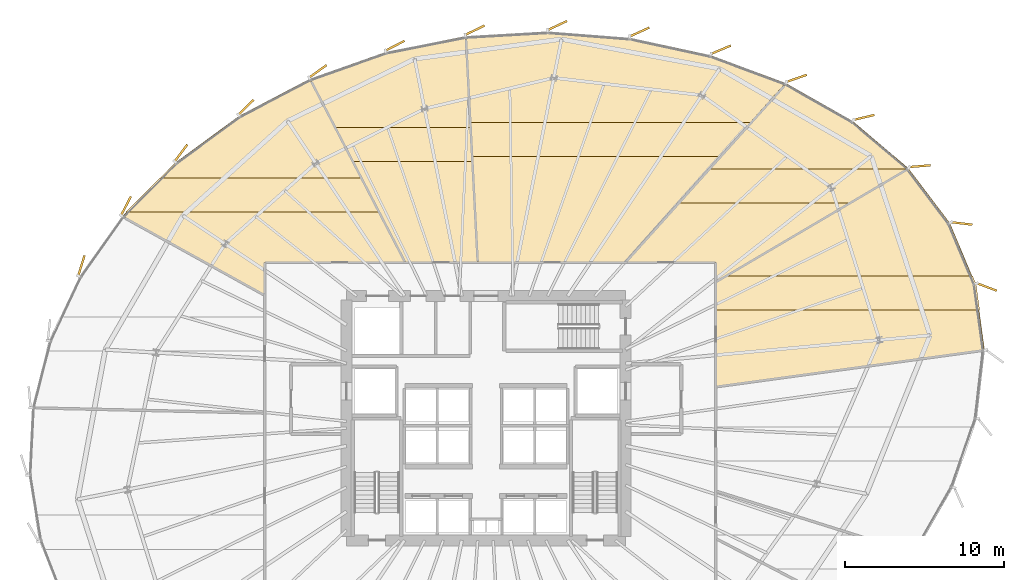
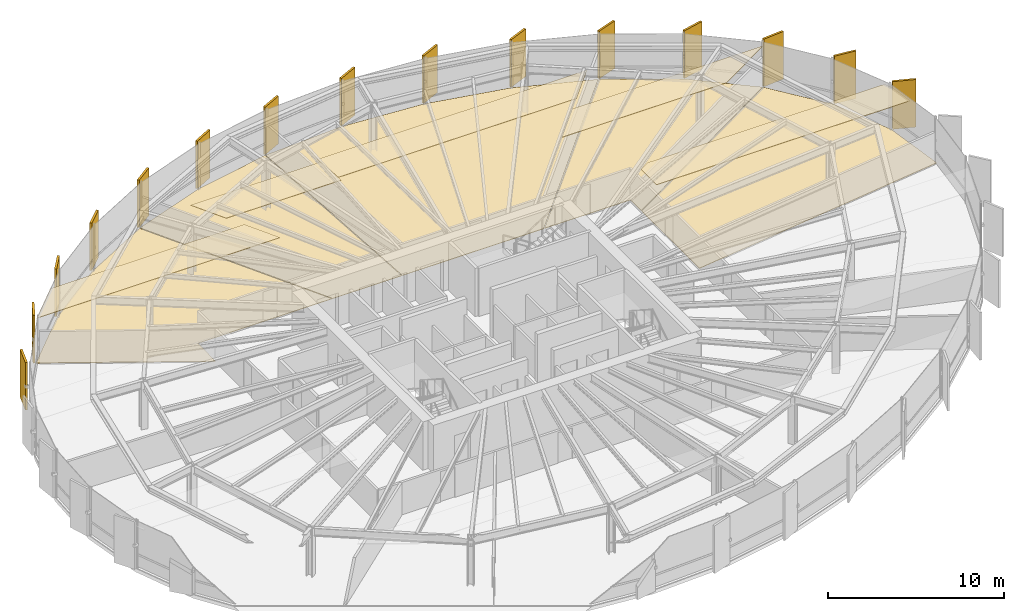
# One storey, part 35 of 35: 25 coverings.
"""IFC4 building model written with IfcOpenShell, lengths in metres."""

import ifcopenshell
import ifcopenshell.guid

model = None  # the IFC model being written
_history = None  # IfcOwnerHistory: only IFC2X3 demands one
_inside = {}  # id of a spatial element -> (the spatial element, [elements in it])
_under = {}  # id of a project, library or spatial element -> (it, [spatial elements below it])
_declared = {}  # id of a project -> (the project, [libraries it declares])
_typed = {}  # id of a type object -> (the type object, [elements of that type])
_made_of = {}  # id of a material, layer set ... -> (it, [elements and type objects made of it])


def new_model(schema):
    """Start an empty IFC model of exactly this schema.

    Asked for "IFC4X3", IfcOpenShell would pick the latest addendum, in which some entities
    have other attributes; the version numbers below select the first issue.
    IFC2X3 requires an IfcOwnerHistory on every rooted entity: one is made here for all.
    """
    global model, _history
    if schema == "IFC4X3":
        model = ifcopenshell.file(schema_version=(4, 3, 0, 0))
    else:
        model = ifcopenshell.file(schema=schema)
    _inside.clear()
    _under.clear()
    _declared.clear()
    _typed.clear()
    _made_of.clear()
    _history = None
    if model.schema == "IFC2X3":
        org = make("IfcOrganization", Name="unknown")
        user = make(
            "IfcPersonAndOrganization",
            ThePerson=make("IfcPerson", FamilyName="unknown"),
            TheOrganization=org,
        )
        app = make(
            "IfcApplication",
            ApplicationDeveloper=org,
            Version="unknown",
            ApplicationFullName="unknown",
            ApplicationIdentifier="unknown",
        )
        _history = make(
            "IfcOwnerHistory",
            OwningUser=user,
            OwningApplication=app,
            ChangeAction="ADDED",
            CreationDate=0,
        )
    return model


def make(cls, **values):
    """One entity of the class cls with the attributes given. An attribute that is None is left unset."""
    return model.create_entity(
        cls, **{name: value for name, value in values.items() if value is not None}
    )


def rooted(cls, **values):
    """An entity with a GlobalId (a new one), such as an element, a storey or a relation."""
    return make(cls, GlobalId=ifcopenshell.guid.new(), OwnerHistory=_history, **values)


def si_unit(unit_type, name, prefix=None):
    """IfcSIUnit, for example si_unit("LENGTHUNIT", "METRE", prefix="MILLI")."""
    return make("IfcSIUnit", UnitType=unit_type, Prefix=prefix, Name=name)


def assignment(units):
    """IfcUnitAssignment: the units of a project."""
    return None if units is None else make("IfcUnitAssignment", Units=units)


def point(xyz):
    """IfcCartesianPoint."""
    return None if xyz is None else make("IfcCartesianPoint", Coordinates=xyz)


def direction(xyz):
    """IfcDirection."""
    return None if xyz is None else make("IfcDirection", DirectionRatios=xyz)


def frame(location, z_axis=None, x_axis=None):
    """IfcAxis2Placement3D, a coordinate frame: its origin and axes. An axis left out is left unset."""
    return make(
        "IfcAxis2Placement3D",
        Location=point(location),
        Axis=direction(z_axis),
        RefDirection=direction(x_axis),
    )


def frame_2d(location, x_axis=None):
    """IfcAxis2Placement2D, a coordinate frame in the plane: its origin and x axis."""
    return make(
        "IfcAxis2Placement2D", Location=point(location), RefDirection=direction(x_axis)
    )


def origin():
    """The frame at (0, 0, 0) with its axes left unset."""
    return frame((0.0, 0.0, 0.0))


def origin_2d():
    """The frame at (0, 0) in the plane with its x axis left unset."""
    return frame_2d((0.0, 0.0))


def place(relative_to, where):
    """IfcLocalPlacement: puts the frame where relative to a parent placement (None: the world)."""
    return make(
        "IfcLocalPlacement", PlacementRelTo=relative_to, RelativePlacement=where
    )


def context(
    kind, dimensions, precision=None, world=None, true_north=None, identifier=None
):
    """IfcGeometricRepresentationContext, for example the 3D "Model" context."""
    return make(
        "IfcGeometricRepresentationContext",
        ContextIdentifier=identifier,
        ContextType=kind,
        CoordinateSpaceDimension=dimensions,
        Precision=precision,
        WorldCoordinateSystem=world,
        TrueNorth=true_north,
    )


def subcontext(parent, identifier, kind, view, scale=None):
    """IfcGeometricRepresentationSubContext, for example "Body" below "Model"."""
    return make(
        "IfcGeometricRepresentationSubContext",
        ContextIdentifier=identifier,
        ContextType=kind,
        ParentContext=parent,
        TargetScale=scale,
        TargetView=view,
    )


def project(units=None, contexts=None):
    """IfcProject with its units and contexts."""
    return rooted(
        "IfcProject",
        Name="project",
        RepresentationContexts=contexts,
        UnitsInContext=assignment(units),
    )


def spatial(cls, under=None, at=None, **own):
    """A site, building, storey or space (cls), placed at a placement, below another one or the project."""
    s = rooted(cls, ObjectPlacement=at, **own)
    if under is not None:
        _under.setdefault(under.id(), (under, []))[1].append(s)
    return s


def polyline(points):
    """IfcPolyline through the points."""
    return make("IfcPolyline", Points=[point(p) for p in points])


def profile(cls, at=None, kind="AREA", **sizes):
    """A parametric profile (cls). Its sizes go by their IFC names, for example OverallWidth=200.0."""
    return make(cls, ProfileType=kind, Position=at, **sizes)


def rectangle(**sizes):
    """IfcRectangleProfileDef."""
    return profile("IfcRectangleProfileDef", **sizes)


def outline(outer, holes=None, kind="AREA"):
    """IfcArbitraryClosedProfileDef: a profile drawn as a closed curve; with holes, ...WithVoids."""
    if holes is None:
        return make("IfcArbitraryClosedProfileDef", ProfileType=kind, OuterCurve=outer)
    return make(
        "IfcArbitraryProfileDefWithVoids",
        ProfileType=kind,
        OuterCurve=outer,
        InnerCurves=holes,
    )


def extrude(swept, where, along, depth):
    """IfcExtrudedAreaSolid: the profile swept, set in the frame where, extruded along a direction by depth."""
    return make(
        "IfcExtrudedAreaSolid",
        SweptArea=swept,
        Position=where,
        ExtrudedDirection=direction(along),
        Depth=depth,
    )


def shape(context_of_items, identifier, shape_type, items):
    """IfcShapeRepresentation: the items that make up one representation, for example the "Body"."""
    return make(
        "IfcShapeRepresentation",
        ContextOfItems=context_of_items,
        RepresentationIdentifier=identifier,
        RepresentationType=shape_type,
        Items=items,
    )


def source(mapping_origin, context_of_items, identifier, shape_type, items):
    """IfcRepresentationMap: a shape defined once, which mapped items show again and again."""
    return make(
        "IfcRepresentationMap",
        MappingOrigin=mapping_origin,
        MappedRepresentation=shape(context_of_items, identifier, shape_type, items),
    )


def transform(
    local_origin,
    x_axis=None,
    y_axis=None,
    z_axis=None,
    scale=None,
    scale2=None,
    scale3=None,
    uniform=True,
):
    """IfcCartesianTransformationOperator3D, or its non-uniform kind. x_axis, y_axis, z_axis: its Axis1, 2, 3."""
    if uniform:
        return make(
            "IfcCartesianTransformationOperator3D",
            Axis1=direction(x_axis),
            Axis2=direction(y_axis),
            LocalOrigin=point(local_origin),
            Scale=scale,
            Axis3=direction(z_axis),
        )
    return make(
        "IfcCartesianTransformationOperator3DnonUniform",
        Axis1=direction(x_axis),
        Axis2=direction(y_axis),
        LocalOrigin=point(local_origin),
        Scale=scale,
        Axis3=direction(z_axis),
        Scale2=scale2,
        Scale3=scale3,
    )


def mapped(mapping_source, mapping_target):
    """IfcMappedItem: shows the shape of a source again, moved by a transform."""
    return make(
        "IfcMappedItem", MappingSource=mapping_source, MappingTarget=mapping_target
    )


def material(Name=None, Category=None):
    """IfcMaterial."""
    return make("IfcMaterial", Name=Name, Category=Category)


def layer(
    of_material, thickness, ventilated=None, Name=None, Category=None, Priority=None
):
    """IfcMaterialLayer: one layer of a wall or slab, of a material (None: an air gap)."""
    return make(
        "IfcMaterialLayer",
        Material=of_material,
        LayerThickness=thickness,
        IsVentilated=ventilated,
        Name=Name,
        Category=Category,
        Priority=Priority,
    )


def layer_set(layers, Name=None):
    """IfcMaterialLayerSet."""
    return make("IfcMaterialLayerSet", MaterialLayers=layers, LayerSetName=Name)


def made_of(thing, what):
    """Note that an element or type object is made of a material, layer set ...; save() writes the relation."""
    if what is not None:
        _made_of.setdefault(what.id(), (what, []))[1].append(thing)
    return thing


def type_object(cls, material=None, **own):
    """A type object (cls), such as IfcWallType, which elements share."""
    return made_of(rooted(cls, **own), material)


def element(
    cls,
    number,
    at=None,
    inside=None,
    cuts=None,
    type_object=None,
    material=None,
    context=None,
    identifier="Body",
    shape_type=None,
    held_by="IfcProductDefinitionShape",
    body=None,
    shapes=None,
    **own,
):
    """One element of the class cls, such as IfcWall. Its Tag is "e" and its number.

    at: its placement. inside: the storey or other place that contains it. cuts: it is an
    opening in that element (IfcRelVoidsElement). A single representation is given by context,
    identifier, shape_type and body (its items); several are given by shapes. held_by: the class
    of the entity that holds the representations. save() writes the other relations.
    """
    e = rooted(cls, Tag="e%d" % number, ObjectPlacement=at, **own)
    if body is not None:
        shapes = [shape(context, identifier, shape_type, body)]
    if shapes is not None:
        e.Representation = make(held_by, Representations=shapes)
    if inside is not None:
        _inside.setdefault(inside.id(), (inside, []))[1].append(e)
    if cuts is not None:
        rooted(
            "IfcRelVoidsElement", RelatingBuildingElement=cuts, RelatedOpeningElement=e
        )
    if type_object is not None:
        _typed.setdefault(type_object.id(), (type_object, []))[1].append(e)
    return made_of(e, material)


def aggregate(whole, parts):
    """IfcRelAggregates: a whole, such as a stair, and the parts it consists of."""
    return rooted("IfcRelAggregates", RelatingObject=whole, RelatedObjects=parts)


def save(model, path):
    """Write the relations noted so far, then the file.

    IfcRelAggregates (storeys below a building ...), IfcRelContainedInSpatialStructure (elements
    in a storey), IfcRelDefinesByType, IfcRelAssociatesMaterial and IfcRelDeclares: one each for
    every whole, place, type object, material and project.
    """
    for whole, parts in _under.values():
        aggregate(whole, parts)
    for where, things in _inside.values():
        rooted(
            "IfcRelContainedInSpatialStructure",
            RelatedElements=things,
            RelatingStructure=where,
        )
    for kind, things in _typed.values():
        rooted("IfcRelDefinesByType", RelatedObjects=things, RelatingType=kind)
    for what, things in _made_of.values():
        rooted("IfcRelAssociatesMaterial", RelatedObjects=things, RelatingMaterial=what)
    for by, libraries in _declared.values():
        rooted("IfcRelDeclares", RelatingContext=by, RelatedDefinitions=libraries)
    model.write(path)


model = new_model("IFC4")

# Units and contexts
model_context = context("Model", 3, precision=1e-05, world=origin(), true_north=direction((0.0, 1.0)))
body_context = subcontext(model_context, "Body", "Model", "MODEL_VIEW")
ifc_project = project(units=[si_unit("LENGTHUNIT", "METRE"), si_unit("AREAUNIT", "SQUARE_METRE"), si_unit("VOLUMEUNIT", "CUBIC_METRE"), si_unit("PLANEANGLEUNIT", "RADIAN"), si_unit("MASSUNIT", "GRAM", prefix="KILO"), si_unit("THERMODYNAMICTEMPERATUREUNIT", "KELVIN")], contexts=[model_context])

# Site, building, storey
site_placement = place(None, origin())
site = spatial("IfcSite", under=ifc_project, at=site_placement, CompositionType="ELEMENT")
building_placement = place(site_placement, origin())
building = spatial("IfcBuilding", under=site, at=building_placement, Name="Kethvar Cultural Tower", CompositionType="ELEMENT")
storey_placement = place(building_placement, frame((0.0, 0.0, 96.39990234375)))
storey = spatial("IfcBuildingStorey", under=building, at=storey_placement, Name="L23", CompositionType="ELEMENT", Elevation=96.39990234375)

# Coverings
ifc_material_1 = material(Name="Acoustic Mineral Fibre Ceiling")
ifc_layer_1 = layer(ifc_material_1, 0.0400390625, Name="Acoustic Mineral Fibre Ceiling")
ifc_layer_set_1 = layer_set([ifc_layer_1], Name="Acoustic Mineral Fibre Ceiling (40 mm)")
covering_type_1 = type_object("IfcCoveringType", Name="CV-ACOUSTIC-CEIL", PredefinedType="CEILING", material=ifc_layer_set_1)
covering_1_placement = place(storey_placement, frame((0.0, 0.0, 2.89013671875)))
element("IfcCovering", 1, at=covering_1_placement, inside=storey, type_object=covering_type_1, Name="L23 Room 06 Acoustic Ceiling Panel", PredefinedType="CEILING", context=body_context, shape_type="SweptSolid", body=[
    extrude(outline(polyline([(77.691162109375, 36.253662109375), (77.916015625, 34.61376953125), (61.25, 34.61376953125), (61.250732421875, 36.37841796875), (61.890625, 36.763916015625), (77.476318359375, 36.763916015625), (77.691162109375, 36.253662109375)])), origin(), (0.0, 0.0, 1.0), 0.0400390625),
])
covering_2_placement = place(storey_placement, frame((0.0, 0.0, 2.89013671875)))
element("IfcCovering", 2, at=covering_2_placement, inside=storey, type_object=covering_type_1, Name="L23 Room 07 Acoustic Ceiling Panel", PredefinedType="CEILING", context=body_context, shape_type="SweptSolid", body=[
    extrude(outline(polyline([(69.7548828125, 41.376708984375), (58.92236328125, 41.376708984375), (60.846435546875, 43.526611328125), (73.384033203125, 43.526611328125), (69.7548828125, 41.376708984375)])), origin(), (0.0, 0.0, 1.0), 0.0400390625),
])
covering_3_placement = place(storey_placement, frame((0.0, 0.0, 2.89013671875)))
element("IfcCovering", 3, at=covering_3_placement, inside=storey, type_object=covering_type_1, Name="L23 Room 08 Acoustic Ceiling Panel", PredefinedType="CEILING", context=body_context, shape_type="SweptSolid", body=[
    extrude(outline(polyline([(61.59521484375, 44.303466796875), (45.89208984375, 44.303466796875), (45.7763671875, 46.453369140625), (63.51904296875, 46.453369140625), (61.59521484375, 44.303466796875)])), origin(), (0.0, 0.0, 1.0), 0.0400390625),
])
covering_4_placement = place(storey_placement, frame((0.0, 0.0, 2.89013671875)))
element("IfcCovering", 4, at=covering_4_placement, inside=storey, type_object=covering_type_1, Name="L23 Room 09 Acoustic Ceiling Panel", PredefinedType="CEILING", context=body_context, shape_type="SweptSolid", body=[
    extrude(outline(polyline([(45.94970703125, 43.97900390625), (38.376953125, 43.97900390625), (37.2607421875, 46.129150390625), (45.833984375, 46.129150390625), (45.94970703125, 43.97900390625)])), origin(), (0.0, 0.0, 1.0), 0.0400390625),
])
covering_5_placement = place(storey_placement, frame((0.0, 0.0, 2.89013671875)))
element("IfcCovering", 5, at=covering_5_placement, inside=storey, type_object=covering_type_1, Name="L23 Room 10 Acoustic Ceiling Panel", PredefinedType="CEILING", context=body_context, shape_type="SweptSolid", body=[
    extrude(outline(polyline([(40.078857421875, 40.7880859375), (24.072509765625, 40.7880859375), (26.210693359375, 42.93798828125), (38.962646484375, 42.93798828125), (40.078857421875, 40.7880859375)])), origin(), (0.0, 0.0, 1.0), 0.0400390625),
])
ifc_material_2 = material(Name="Honed Warm Limestone", Category="masonry")
ifc_layer_2 = layer(ifc_material_2, 0.030029296875, Name="Honed Warm Limestone", Category="masonry")
ifc_layer_set_2 = layer_set([ifc_layer_2], Name="Honed Warm Limestone (30 mm)")
covering_type_2 = type_object("IfcCoveringType", Name="CV-STONE-FLOOR", PredefinedType="FLOORING", material=ifc_layer_set_2)
covering_6_placement = place(storey_placement, origin())
element("IfcCovering", 6, at=covering_6_placement, inside=storey, type_object=covering_type_2, Name="L23 Room 06 Floor Finish", PredefinedType="FLOORING", context=body_context, shape_type="SweptSolid", body=[
    extrude(outline(polyline([(76.02880859375, 40.101318359375), (77.6533203125, 36.240478515625), (78.218017578125, 32.107666015625), (61.2900390625, 29.797607421875), (61.2900390625, 36.361328125), (73.418701171875, 43.547119140625), (76.02880859375, 40.101318359375)])), origin(), (0.0, 0.0, 1.0), 0.030029296875),
])
covering_7_placement = place(storey_placement, origin())
element("IfcCovering", 7, at=covering_7_placement, inside=storey, type_object=covering_type_2, Name="L23 Room 07 Floor Finish", PredefinedType="FLOORING", context=body_context, shape_type="SweptSolid", body=[
    extrude(outline(polyline([(69.912109375, 46.52099609375), (73.389404296875, 43.576416015625), (61.2900390625, 36.407958984375), (61.27392578125, 37.6396484375), (55.63232421875, 37.639892578125), (65.711181640625, 48.903076171875), (69.912109375, 46.52099609375)])), origin(), (0.0, 0.0, 1.0), 0.030029296875),
])
covering_8_placement = place(storey_placement, origin())
element("IfcCovering", 8, at=covering_8_placement, inside=storey, type_object=covering_type_2, Name="L23 Room 08 Floor Finish", PredefinedType="FLOORING", context=body_context, shape_type="SweptSolid", body=[
    extrude(outline(polyline([(45.52490234375, 51.87255859375), (50.68310546875, 52.16845703125), (55.888916015625, 51.764892578125), (60.957763671875, 50.6708984375), (65.672607421875, 48.919921875), (55.57861328125, 37.639892578125), (46.290771484375, 37.639892578125), (45.52490234375, 51.87255859375)])), origin(), (0.0, 0.0, 1.0), 0.030029296875),
])
covering_9_placement = place(storey_placement, origin())
element("IfcCovering", 9, at=covering_9_placement, inside=storey, type_object=covering_type_2, Name="L23 Room 09 Floor Finish", PredefinedType="FLOORING", context=body_context, shape_type="SweptSolid", body=[
    extrude(outline(polyline([(40.4873046875, 50.87548828125), (45.485107421875, 51.8671875), (46.25048828125, 37.639892578125), (41.71337890625, 37.639892578125), (35.71435546875, 49.1943359375), (40.4873046875, 50.87548828125)])), origin(), (0.0, 0.0, 1.0), 0.030029296875),
])
covering_10_placement = place(storey_placement, origin())
element("IfcCovering", 10, at=covering_10_placement, inside=storey, type_object=covering_type_2, Name="L23 Room 10 Floor Finish", PredefinedType="FLOORING", context=body_context, shape_type="SweptSolid", body=[
    extrude(outline(polyline([(27.255615234375, 43.931884765625), (31.23828125, 46.848876953125), (35.677490234375, 49.178466796875), (41.66845703125, 37.639892578125), (32.84619140625, 37.6396484375), (32.830078125, 35.576904296875), (23.884521484375, 40.542236328125), (27.255615234375, 43.931884765625)])), origin(), (0.0, 0.0, 1.0), 0.030029296875),
])
ifc_material_3 = material(Name="Extruded Architectural Terracotta", Category="masonry")
ifc_layer_3 = layer(ifc_material_3, 0.135009765625, Name="Extruded Architectural Terracotta", Category="masonry")
ifc_layer_set_3 = layer_set([ifc_layer_3], Name="Extruded Architectural Terracotta (135 mm)")
covering_type_3 = type_object("IfcCoveringType", Name="Terracotta Facade Fin FIN-02", PredefinedType="CLADDING", material=ifc_layer_set_3)
shared_shape = source(origin(), body_context, "Body", "SweptSolid", [
    extrude(rectangle(XDim=1.35009765625, YDim=0.135009765625, at=origin_2d()), origin(), (0.0, 0.0, 1.0), 3.31005859375),
])
for number, where, z_axis, x_axis, name in (
    (11, (78.363037109375, 36.07470703125, 0.02001953125), (0.0, 0.0, 1.0), (0.935813675838, -0.352495055446, 0.0), "L23 Vertical Terracotta Fin 1.1"),
    (12, (76.7802734375, 40.0810546875, 0.02001953125), (0.0, 0.0, 1.0), (0.993190997297, -0.116497394345, 0.0), "L23 Vertical Terracotta Fin 1.2"),
    (13, (74.148193359375, 43.690185546875, 0.02001953125), (0.0, 0.0, 1.0), (0.996608724165, 0.082286395708, 0.0), "L23 Vertical Terracotta Fin 1.3"),
    (14, (70.6201171875, 46.76220703125, 0.02001953125), (0.0, 0.0, 1.0), (0.973219009208, 0.22987988193, 0.0), "L23 Vertical Terracotta Fin 1.4"),
    (15, (66.372314453125, 49.22509765625, 0.02001953125), (0.0, 0.0, 1.0), (0.944433753911, 0.32870181696, 0.0), "L23 Vertical Terracotta Fin 1.5"),
    (16, (61.6025390625, 51.02978515625, 0.02001953125), (0.0, 0.0, 1.0), (0.92199836388, 0.387193771905, 0.0), "L23 Vertical Terracotta Fin 1.6"),
    (17, (56.473388671875, 52.1474609375, 0.02001953125), (0.0, 0.0, 1.0), (0.909888879393, 0.414852054542, 0.0), "L23 Vertical Terracotta Fin 2.1"),
    (18, (51.289306640625, 52.555908203125, 0.02001953125), (0.0, 0.0, 1.0), (0.904603990929, 0.426252999515, 0.0), "L23 Vertical Terracotta Fin 2.2"),
    (19, (46.096435546875, 52.2626953125, 0.02001953125), (0.0, 0.0, 1.0), (0.90100131981, 0.43381634559, 0.0), "L23 Vertical Terracotta Fin 2.3"),
    (20, (41.0546875, 51.281005859375, 0.02001953125), (0.0, 0.0, 1.0), (0.8877350516, 0.46035473079, 0.0), "L23 Vertical Terracotta Fin 2.4"),
    (21, (36.197021484375, 49.670166015625, 0.02001953125), (0.0, 0.0, 1.0), (0.812185361677, 0.583399467156, 0.0), "L23 Vertical Terracotta Fin 2.5"),
    (22, (31.664306640625, 47.401123046875, 0.02001953125), (0.0, 0.0, 1.0), (0.716667207449, 0.697415309387, 0.0), "L23 Vertical Terracotta Fin 2.6"),
    (23, (27.56298828125, 44.51611328125, 0.02001953125), (0.0, 0.0, 1.0), (0.599582468446, 0.800312978486, 0.0), "L23 Vertical Terracotta Fin 3.1"),
    (24, (24.0966796875, 41.183349609375, 0.02001953125), (0.0, 0.0, 1.0), (0.459579860621, 0.888136448814, 0.0), "L23 Vertical Terracotta Fin 3.2"),
    (25, (21.28515625, 37.419921875, 0.02001953125), (0.0, 0.0, 1.0), (0.295708050044, 0.955278362122, 0.0), "L23 Vertical Terracotta Fin 3.3"),
):
    element("IfcCovering", number, at=place(storey_placement, frame(where, z_axis=z_axis, x_axis=x_axis)), inside=storey, type_object=covering_type_3, Name=name, PredefinedType="CLADDING", context=body_context, shape_type="MappedRepresentation", body=[
        mapped(shared_shape, transform((0.0, 0.0, 0.0), scale=1.0)),
    ])

save(model, "model.ifc")
